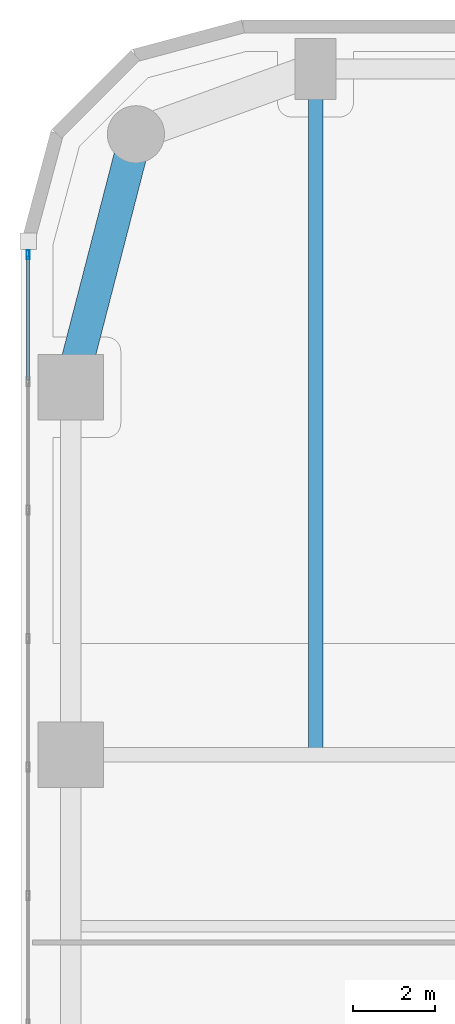
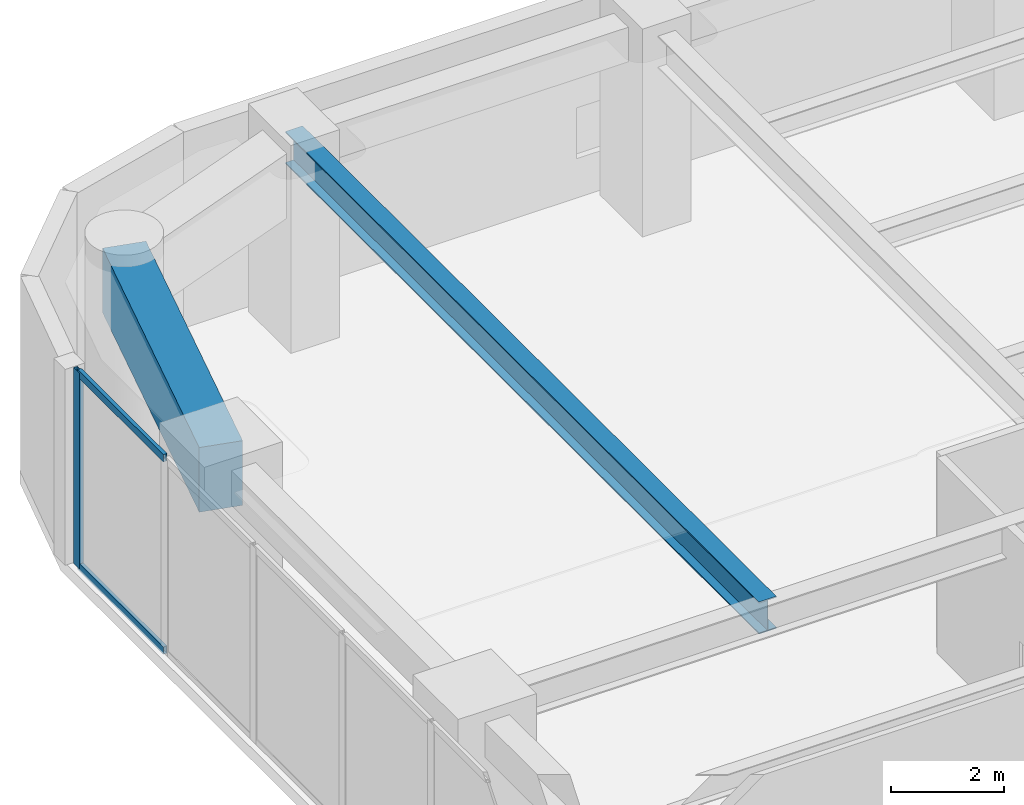
# One storey, part 12 of 25: 3 members, 2 beams, 1 element without a shape of its own.
"""IFC4 building model written with IfcOpenShell, lengths in metres."""

from ifc_helpers import new_model, si_unit, direction, frame, origin, origin_2d, place, context, subcontext, project, spatial, rectangle, hollow_rectangle, i_section, extrude, material, layer, layer_set, material_profile, profile_set, type_object, element, aggregate, save


model = new_model("IFC4")

# Units and contexts
model_context = context("Model", 3, precision=1e-05, world=origin(), true_north=direction((0.0, 1.0)))
body_context = subcontext(model_context, "Body", "Model", "MODEL_VIEW")
ifc_project = project(units=[si_unit("LENGTHUNIT", "METRE"), si_unit("AREAUNIT", "SQUARE_METRE"), si_unit("VOLUMEUNIT", "CUBIC_METRE"), si_unit("PLANEANGLEUNIT", "RADIAN"), si_unit("MASSUNIT", "GRAM", prefix="KILO")], contexts=[model_context])

# Site, building, storey
site_placement = place(None, origin())
site = spatial("IfcSite", under=ifc_project, at=site_placement, CompositionType="ELEMENT")
building_placement = place(site_placement, origin())
building = spatial("IfcBuilding", under=site, at=building_placement, Name="Kiyonajd Concourse Tower", CompositionType="ELEMENT")
storey_placement = place(building_placement, frame((0.0, 0.0, 68.39990234375)))
storey = spatial("IfcBuildingStorey", under=building, at=storey_placement, Name="L18", CompositionType="ELEMENT", Elevation=68.39990234375)

# Beams
ifc_material_1 = material(Name="Steel ASTM A992 Grade 50", Category="steel")
ifc_material_profile_1 = material_profile(ifc_material_1, i_section(OverallWidth=0.35498046875, OverallDepth=0.695068359375, WebThickness=0.015380859375, FlangeThickness=0.02490234375, at=origin_2d()), Name="W690X217")
ifc_profile_set_1 = profile_set([ifc_material_profile_1], Name="Steel ASTM A992 Grade 50")
beam_type_1 = type_object("IfcBeamType", Name="BM-TWR-690", PredefinedType="BEAM", material=ifc_profile_set_1)
beam_1_placement = place(storey_placement, frame((25.199951171875, 44.39990234375, 3.892578125), z_axis=(0.0, 1.0, 0.0), x_axis=(-1.0, 0.0, 0.0)))
element("IfcBeam", 1, at=beam_1_placement, inside=storey, type_object=beam_type_1, Name="L18 North Lease Girder", PredefinedType="BEAM", context=body_context, shape_type="SweptSolid", body=[
    extrude(i_section(OverallWidth=0.35498046875, OverallDepth=0.695068359375, WebThickness=0.015380859375, FlangeThickness=0.02490234375, at=origin_2d()), origin(), (0.0, 0.0, 1.0), 16.800048828125),
])
ifc_material_2 = material(Name="Concrete C60/75", Category="concrete")
ifc_material_profile_2 = material_profile(ifc_material_2, rectangle(XDim=0.800048828125, YDim=1.39990234375, at=origin_2d()), Name="RCBM-800x1400")
ifc_profile_set_2 = profile_set([ifc_material_profile_2], Name="Concrete C60/75")
beam_type_2 = type_object("IfcBeamType", Name="BM-XFER-RC", PredefinedType="BEAM", material=ifc_profile_set_2)
beam_2_placement = place(storey_placement, frame((20.800048828125, 59.60009765625, 3.5400390625), z_axis=(-0.249884937687, -0.968275538221, 0.0), x_axis=(0.968275538221, -0.249884937687, 0.0)))
element("IfcBeam", 2, at=beam_2_placement, inside=storey, type_object=beam_type_2, Name="L18 Perimeter Bundled Tube Spandrel", PredefinedType="BEAM", context=body_context, shape_type="SweptSolid", body=[
    extrude(rectangle(XDim=0.800048828125, YDim=1.39990234375, at=origin_2d()), origin(), (0.0, 0.0, 1.0), 6.4033203125),
])

# Curtain wall, members
ifc_material_3 = material(Name="Thermally Broken Anodised Aluminium", Category="aluminium")
ifc_layer = layer(ifc_material_3, 0.179931640625)
ifc_layer_set = layer_set([ifc_layer], Name="Thermally Broken Anodised Aluminium")
curtain_wall_type = type_object("IfcCurtainWallType", Name="CW-SYS-05", PredefinedType="NOTDEFINED", material=ifc_layer_set)
curtain_wall_placement = place(storey_placement, origin())
curtain_wall = element("IfcCurtainWall", 3, at=curtain_wall_placement, inside=storey, type_object=curtain_wall_type, Name="L18 Unitised Curtain Wall CW5", PredefinedType="NOTDEFINED")
ifc_material_profile_3 = material_profile(ifc_material_3, hollow_rectangle(XDim=0.074951171875, YDim=0.219970703125, WallThickness=0.0048828125, at=origin_2d()), Name="MULL-75x220")
ifc_profile_set_3 = profile_set([ifc_material_profile_3], Name="Thermally Broken Anodised Aluminium")
member_type_1 = type_object("IfcMemberType", Name="MB-CW-MULL2", PredefinedType="MULLION", material=ifc_profile_set_3)
member_1_placement = place(storey_placement, frame((18.159912109375, 56.6513671875, 0.0), z_axis=(0.0, 0.0, 1.0), x_axis=(-1.0, 0.0, 0.0)))
member_1 = element("IfcMember", 4, at=member_1_placement, type_object=member_type_1, Name="CW5 mullion 8", PredefinedType="MULLION", context=body_context, shape_type="SweptSolid", body=[
    extrude(hollow_rectangle(XDim=0.074951171875, YDim=0.219970703125, WallThickness=0.0048828125, at=origin_2d()), origin(), (0.0, 0.0, 1.0), 4.239990234375),
])
ifc_material_profile_4 = material_profile(ifc_material_3, hollow_rectangle(XDim=0.074951171875, YDim=0.159912109375, WallThickness=0.0048828125, at=origin_2d()), Name="TRAN-75x160")
ifc_profile_set_4 = profile_set([ifc_material_profile_4], Name="Thermally Broken Anodised Aluminium")
member_type_2 = type_object("IfcMemberType", Name="MB-CW-TRAN2", PredefinedType="USERDEFINED", material=ifc_profile_set_4)
member_2_placement = place(storey_placement, frame((18.159912109375, 53.577880859375, 0.03759765625), z_axis=(0.0, 1.0, 0.0), x_axis=(-1.0, 0.0, 0.0)))
member_2 = element("IfcMember", 5, at=member_2_placement, type_object=member_type_2, Name="CW5 transom 7.1", ObjectType="TRANSOM", PredefinedType="USERDEFINED", context=body_context, shape_type="SweptSolid", body=[
    extrude(hollow_rectangle(XDim=0.074951171875, YDim=0.159912109375, WallThickness=0.0048828125, at=origin_2d()), origin(), (0.0, 0.0, 1.0), 3.0361328125),
])
member_3_placement = place(storey_placement, frame((18.159912109375, 53.577880859375, 4.20263671875), z_axis=(0.0, 1.0, 0.0), x_axis=(-1.0, 0.0, 0.0)))
member_3 = element("IfcMember", 6, at=member_3_placement, type_object=member_type_2, Name="CW5 transom 7.2", ObjectType="TRANSOM", PredefinedType="USERDEFINED", context=body_context, shape_type="SweptSolid", body=[
    extrude(hollow_rectangle(XDim=0.074951171875, YDim=0.159912109375, WallThickness=0.0048828125, at=origin_2d()), origin(), (0.0, 0.0, 1.0), 3.0361328125),
])
aggregate(curtain_wall, [member_1, member_2, member_3])

save(model, "model.ifc")
